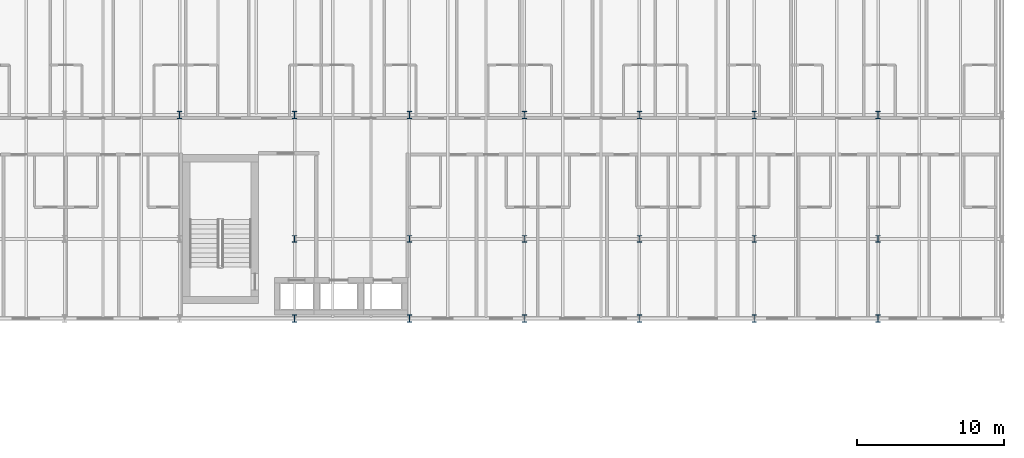
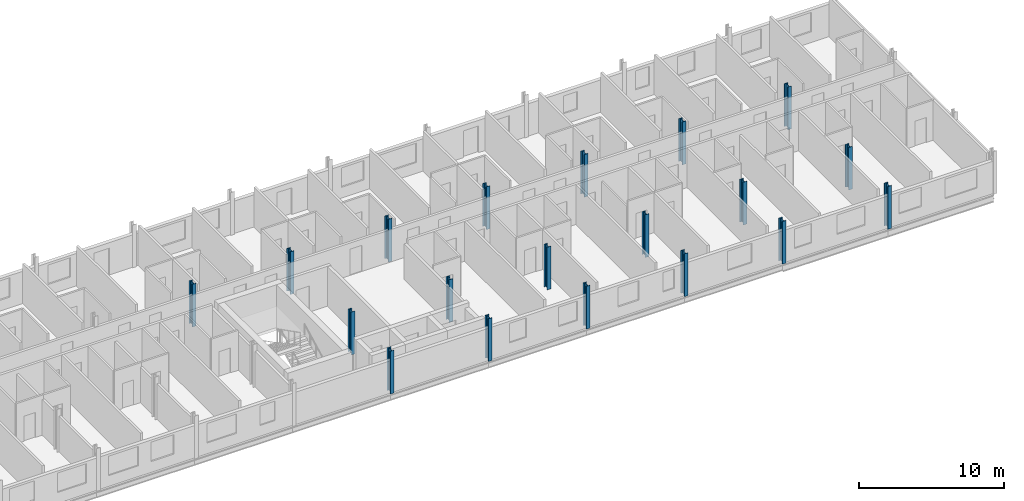
# One storey, part 3 of 34: 19 columns.
"""IFC4 building model written with IfcOpenShell, lengths in metres."""

from ifc_helpers import new_model, si_unit, direction, frame, origin, origin_2d, place, context, subcontext, project, spatial, i_section, extrude, material, material_profile, profile_set, type_object, element, save


model = new_model("IFC4")

# Units and contexts
model_context = context("Model", 3, precision=1e-05, world=origin(), true_north=direction((0.0, 1.0)))
body_context = subcontext(model_context, "Body", "Model", "MODEL_VIEW")
ifc_project = project(units=[si_unit("LENGTHUNIT", "METRE"), si_unit("AREAUNIT", "SQUARE_METRE"), si_unit("VOLUMEUNIT", "CUBIC_METRE"), si_unit("PLANEANGLEUNIT", "RADIAN"), si_unit("MASSUNIT", "GRAM", prefix="KILO")], contexts=[model_context])

# Site, building, storey
site_placement = place(None, origin())
site = spatial("IfcSite", under=ifc_project, at=site_placement, CompositionType="ELEMENT")
building_placement = place(site_placement, origin())
building = spatial("IfcBuilding", under=site, at=building_placement, Name="Sefraquen Railside Congress Hotel", CompositionType="ELEMENT")
storey_placement = place(building_placement, frame((0.0, 0.0, 31.800048828125)))
storey = spatial("IfcBuildingStorey", under=building, at=storey_placement, Name="L07", CompositionType="ELEMENT", Elevation=31.800048828125)

# Columns
ifc_material = material(Name="Steel S355JR", Category="steel")
ifc_material_profile_1 = material_profile(ifc_material, i_section(OverallWidth=0.300048828125, OverallDepth=0.449951171875, WebThickness=0.013916015625, FlangeThickness=0.02587890625, FilletRadius=0.027099609375, at=origin_2d()), Name="HEB 450")
ifc_profile_set_1 = profile_set([ifc_material_profile_1], Name="Steel S355JR")
column_type_1 = type_object("IfcColumnType", Name="TC-HEB-450", PredefinedType="COLUMN", material=ifc_profile_set_1)
for number, where, z_axis, x_axis, name in (
    (1, (72.0, 101.39990234375, 0.0), (0.0, 0.0, 1.0), (1.0, 0.0, 0.0), "Structural column 10-N L07"),
    (2, (79.800048828125, 101.39990234375, 0.0), (0.0, 0.0, 1.0), (1.0, 0.0, 0.0), "Structural column 11-N L07"),
    (3, (87.60009765625, 101.39990234375, 0.0), (0.0, 0.0, 1.0), (1.0, 0.0, 0.0), "Structural column 12-N L07"),
    (4, (95.39990234375, 101.39990234375, 0.0), (0.0, 0.0, 1.0), (1.0, 0.0, 0.0), "Structural column 13-N L07"),
    (5, (103.199951171875, 101.39990234375, 0.0), (0.0, 0.0, 1.0), (1.0, 0.0, 0.0), "Structural column 14-N L07"),
    (6, (111.60009765625, 101.39990234375, 0.0), (0.0, 0.0, 1.0), (1.0, 0.0, 0.0), "Structural column 15-N L07"),
):
    element("IfcColumn", number, at=place(storey_placement, frame(where, z_axis=z_axis, x_axis=x_axis)), inside=storey, type_object=column_type_1, Name=name, PredefinedType="COLUMN", context=body_context, shape_type="SweptSolid", body=[
        extrude(i_section(OverallWidth=0.300048828125, OverallDepth=0.449951171875, WebThickness=0.013916015625, FlangeThickness=0.02587890625, FilletRadius=0.027099609375, at=origin_2d()), origin(), (0.0, 0.0, 1.0), 3.599853515625),
    ])
ifc_material_profile_2 = material_profile(ifc_material, i_section(OverallWidth=0.300048828125, OverallDepth=0.5, WebThickness=0.014404296875, FlangeThickness=0.028076171875, FilletRadius=0.027099609375, at=origin_2d()), Name="HEB 500")
ifc_profile_set_2 = profile_set([ifc_material_profile_2], Name="Steel S355JR")
column_type_2 = type_object("IfcColumnType", Name="TC-HEB-500", PredefinedType="COLUMN", material=ifc_profile_set_2)
for number, where, z_axis, x_axis, name in (
    (7, (64.199951171875, 109.800048828125, 0.0), (0.0, 0.0, 1.0), (1.0, 0.0, 0.0), "Structural column 9-P L07"),
    (8, (72.0, 96.0, 0.0), (0.0, 0.0, 1.0), (1.0, 0.0, 0.0), "Structural column 10-M L07"),
    (9, (72.0, 109.800048828125, 0.0), (0.0, 0.0, 1.0), (1.0, 0.0, 0.0), "Structural column 10-P L07"),
    (10, (79.800048828125, 96.0, 0.0), (0.0, 0.0, 1.0), (1.0, 0.0, 0.0), "Structural column 11-M L07"),
    (11, (79.800048828125, 109.800048828125, 0.0), (0.0, 0.0, 1.0), (1.0, 0.0, 0.0), "Structural column 11-P L07"),
    (12, (87.60009765625, 96.0, 0.0), (0.0, 0.0, 1.0), (1.0, 0.0, 0.0), "Structural column 12-M L07"),
    (13, (87.60009765625, 109.800048828125, 0.0), (0.0, 0.0, 1.0), (1.0, 0.0, 0.0), "Structural column 12-P L07"),
    (14, (95.39990234375, 96.0, 0.0), (0.0, 0.0, 1.0), (1.0, 0.0, 0.0), "Structural column 13-M L07"),
    (15, (95.39990234375, 109.800048828125, 0.0), (0.0, 0.0, 1.0), (1.0, 0.0, 0.0), "Structural column 13-P L07"),
    (16, (103.199951171875, 96.0, 0.0), (0.0, 0.0, 1.0), (1.0, 0.0, 0.0), "Structural column 14-M L07"),
    (17, (103.199951171875, 109.800048828125, 0.0), (0.0, 0.0, 1.0), (1.0, 0.0, 0.0), "Structural column 14-P L07"),
    (18, (111.60009765625, 96.0, 0.0), (0.0, 0.0, 1.0), (1.0, 0.0, 0.0), "Structural column 15-M L07"),
    (19, (111.60009765625, 109.800048828125, 0.0), (0.0, 0.0, 1.0), (1.0, 0.0, 0.0), "Structural column 15-P L07"),
):
    element("IfcColumn", number, at=place(storey_placement, frame(where, z_axis=z_axis, x_axis=x_axis)), inside=storey, type_object=column_type_2, Name=name, PredefinedType="COLUMN", context=body_context, shape_type="SweptSolid", body=[
        extrude(i_section(OverallWidth=0.300048828125, OverallDepth=0.5, WebThickness=0.014404296875, FlangeThickness=0.028076171875, FilletRadius=0.027099609375, at=origin_2d()), origin(), (0.0, 0.0, 1.0), 3.599853515625),
    ])

save(model, "model.ifc")
